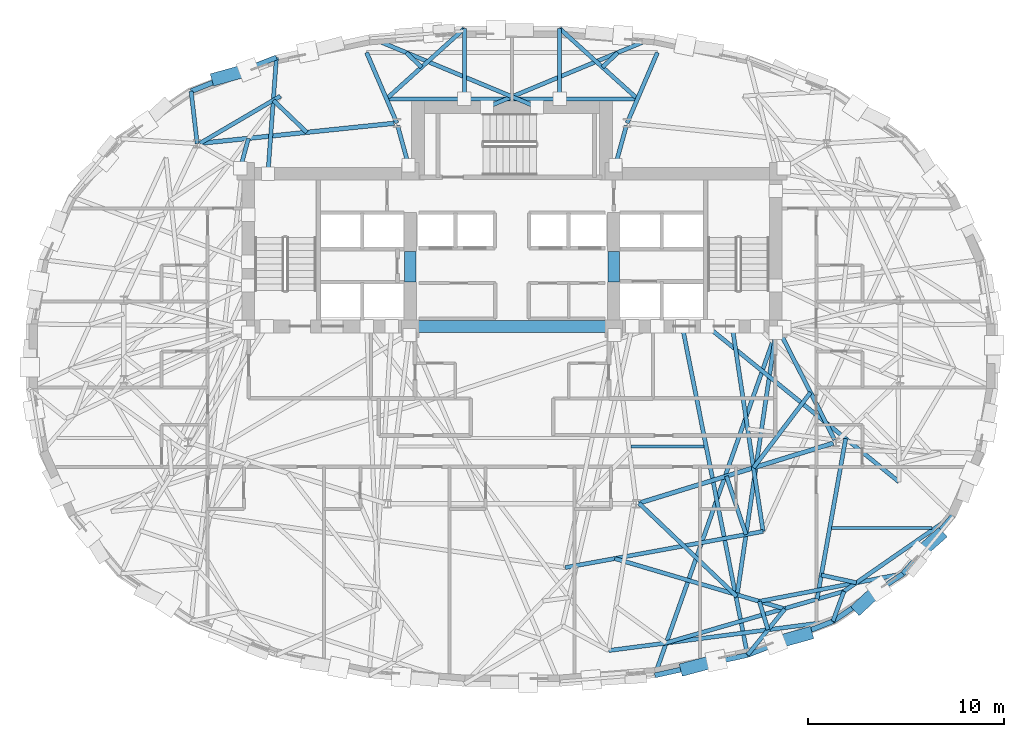
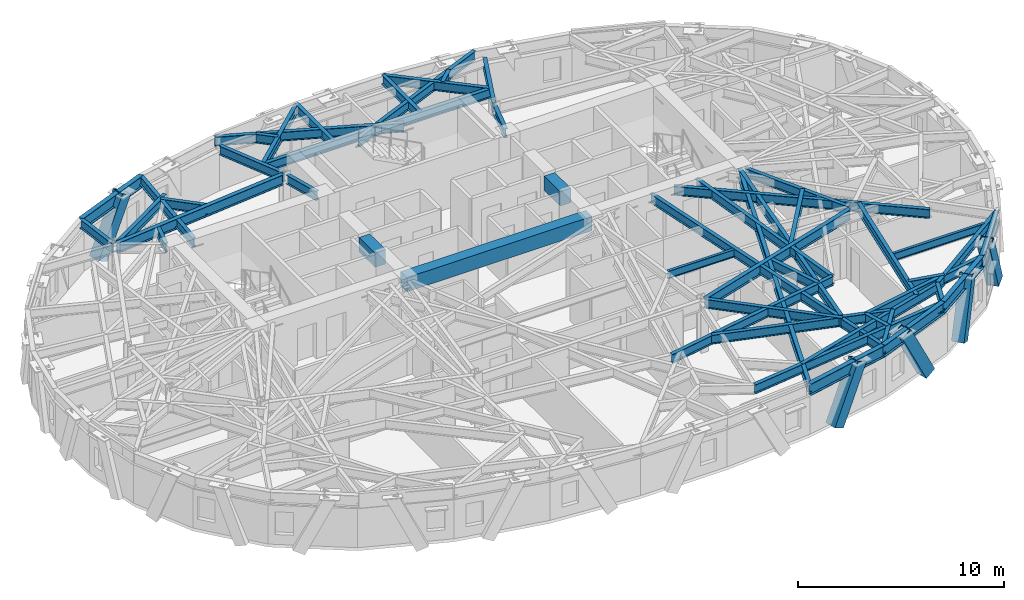
# One storey, part 3 of 15: 50 beams, 5 members.
"""IFC4 building model written with IfcOpenShell, lengths in metres."""

from ifc_helpers import new_model, si_unit, direction, frame, origin, origin_2d, place, context, subcontext, project, spatial, rectangle, hollow_rectangle, i_section, extrude, material, material_profile, profile_set, type_object, element, save


model = new_model("IFC4")

# Units and contexts
model_context = context("Model", 3, precision=1e-05, world=origin(), true_north=direction((0.0, 1.0)))
body_context = subcontext(model_context, "Body", "Model", "MODEL_VIEW")
ifc_project = project(units=[si_unit("LENGTHUNIT", "METRE"), si_unit("AREAUNIT", "SQUARE_METRE"), si_unit("VOLUMEUNIT", "CUBIC_METRE"), si_unit("PLANEANGLEUNIT", "RADIAN"), si_unit("MASSUNIT", "GRAM", prefix="KILO")], contexts=[model_context])

# Site, building, storey
site_placement = place(None, origin())
site = spatial("IfcSite", under=ifc_project, at=site_placement, CompositionType="ELEMENT")
building_placement = place(site_placement, origin())
building = spatial("IfcBuilding", under=site, at=building_placement, Name="Keldmark Tower", CompositionType="ELEMENT")
storey_placement = place(building_placement, frame((0.0, 0.0, 150.199951171875)))
storey = spatial("IfcBuildingStorey", under=building, at=storey_placement, Name="L40", CompositionType="ELEMENT", Elevation=150.199951171875)

# Beams
ifc_material_1 = material(Name="Steel ASTM A992 Grade 50", Category="steel")
ifc_material_profile_1 = material_profile(ifc_material_1, i_section(OverallWidth=0.153076171875, OverallDepth=0.455078125, WebThickness=0.008056640625, FlangeThickness=0.01318359375, at=origin_2d()), Name="W18X40")
ifc_profile_set_1 = profile_set([ifc_material_profile_1], Name="Steel ASTM A992 Grade 50")
beam_type_1 = type_object("IfcBeamType", Name="Composite Floor Joist W18X40", PredefinedType="JOIST", material=ifc_profile_set_1)
beam_1_placement = place(storey_placement, frame((16.328369140625, -8.780029296875, 2.79248046875), z_axis=(1.0, 0.0, 0.0), x_axis=(0.0, 1.0, 0.0)))
element("IfcBeam", 1, at=beam_1_placement, inside=storey, type_object=beam_type_1, Name="L40 Composite Floor Joist J01", PredefinedType="JOIST", context=body_context, shape_type="SweptSolid", body=[
    extrude(i_section(OverallWidth=0.153076171875, OverallDepth=0.455078125, WebThickness=0.008056640625, FlangeThickness=0.01318359375, at=origin_2d()), origin(), (0.0, 0.0, 1.0), 5.115478515625),
])
beam_2_placement = place(storey_placement, frame((6.06884765625, -4.60009765625, 2.79248046875), z_axis=(1.0, 0.0, 0.0), x_axis=(0.0, 1.0, 0.0)))
element("IfcBeam", 2, at=beam_2_placement, inside=storey, type_object=beam_type_1, Name="L40 Composite Floor Joist J05", PredefinedType="JOIST", context=body_context, shape_type="SweptSolid", body=[
    extrude(i_section(OverallWidth=0.153076171875, OverallDepth=0.455078125, WebThickness=0.008056640625, FlangeThickness=0.01318359375, at=origin_2d()), origin(), (0.0, 0.0, 1.0), 3.749755859375),
])
ifc_material_2 = material(Name="Concrete C50/60", Category="concrete")
ifc_material_profile_2 = material_profile(ifc_material_2, rectangle(XDim=0.60009765625, YDim=0.85009765625, at=origin_2d()), Name="RCB600X850")
ifc_profile_set_2 = profile_set([ifc_material_profile_2], Name="Concrete C50/60")
beam_type_2 = type_object("IfcBeamType", Name="Core Coupling Beam RCB600X850", PredefinedType="USERDEFINED", material=ifc_profile_set_2)
for number, where, z_axis, x_axis, name in (
    (3, (-5.199951171875, 3.800048828125, 2.594970703125), (0.0, 1.0, 0.0), (-1.0, 0.0, 0.0), "L40 West Core Coupling Beam"),
    (4, (5.199951171875, 3.800048828125, 2.594970703125), (0.0, 1.0, 0.0), (-1.0, 0.0, 0.0), "L40 East Core Coupling Beam"),
):
    element("IfcBeam", number, at=place(storey_placement, frame(where, z_axis=z_axis, x_axis=x_axis)), inside=storey, type_object=beam_type_2, Name=name, ObjectType="COUPLING BEAM", PredefinedType="USERDEFINED", context=body_context, shape_type="SweptSolid", body=[
        extrude(rectangle(XDim=0.60009765625, YDim=0.85009765625, at=origin_2d()), origin(), (0.0, 0.0, 1.0), 1.550048828125),
    ])
beam_3_placement = place(storey_placement, frame((-5.199951171875, 1.52490234375, 2.594970703125), z_axis=(1.0, 0.0, 0.0), x_axis=(0.0, 1.0, 0.0)))
element("IfcBeam", 5, at=beam_3_placement, inside=storey, type_object=beam_type_2, Name="L40 Central South Core Coupling Beam", ObjectType="COUPLING BEAM", PredefinedType="USERDEFINED", context=body_context, shape_type="SweptSolid", body=[
    extrude(rectangle(XDim=0.60009765625, YDim=0.85009765625, at=origin_2d()), origin(), (0.0, 0.0, 1.0), 10.39990234375),
])

# Members
ifc_material_3 = material(Name="Steel ASTM A572 Grade 50", Category="steel")
ifc_material_profile_3 = material_profile(ifc_material_3, hollow_rectangle(XDim=0.64990234375, YDim=0.64990234375, WallThickness=0.0400390625, at=origin_2d()), Name="BOX650X650X40")
ifc_profile_set_3 = profile_set([ifc_material_profile_3], Name="Steel ASTM A572 Grade 50")
member_type = type_object("IfcMemberType", Name="Diagrid Zone 3 Brace BOX650X650X40", PredefinedType="BRACE", material=ifc_profile_set_3)
member_1_placement = place(storey_placement, frame((-15.05419921875, 14.190673828125, -0.260009765625), z_axis=(0.447184947245, 0.124404320442, 0.885747812875), x_axis=(-0.268016416173, 0.963414345265, 0.0)))
element("IfcMember", 6, at=member_1_placement, inside=storey, type_object=member_type, Name="L40 Perimeter Diagrid Brace 06A", PredefinedType="BRACE", context=body_context, shape_type="SweptSolid", body=[
    extrude(hollow_rectangle(XDim=0.64990234375, YDim=0.64990234375, WallThickness=0.0400390625, at=origin_2d()), origin(), (0.0, 0.0, 1.0), 3.56787109375),
])
member_2_placement = place(storey_placement, frame((8.8984375, -15.96142578125, -0.260009765625), z_axis=(0.434777676357, 0.116179880512, 0.893012098186), x_axis=(-0.258158777298, 0.96610250269, 0.0)))
element("IfcMember", 7, at=member_2_placement, inside=storey, type_object=member_type, Name="L40 Perimeter Diagrid Brace 13B", PredefinedType="BRACE", context=body_context, shape_type="SweptSolid", body=[
    extrude(hollow_rectangle(XDim=0.64990234375, YDim=0.64990234375, WallThickness=0.0400390625, at=origin_2d()), origin(), (0.0, 0.0, 1.0), 3.538818359375),
])
member_3_placement = place(storey_placement, frame((15.05419921875, -14.190673828125, -0.260009765625), z_axis=(-0.447184947245, -0.124404320442, 0.885747812875), x_axis=(0.268016416173, -0.963414345265, 0.0)))
element("IfcMember", 8, at=member_3_placement, inside=storey, type_object=member_type, Name="L40 Perimeter Diagrid Brace 14A", PredefinedType="BRACE", context=body_context, shape_type="SweptSolid", body=[
    extrude(hollow_rectangle(XDim=0.64990234375, YDim=0.64990234375, WallThickness=0.0400390625, at=origin_2d()), origin(), (0.0, 0.0, 1.0), 3.56787109375),
])
member_4_placement = place(storey_placement, frame((17.732421875, -12.81689453125, -0.260009765625), z_axis=(0.292992043497, 0.273100580771, 0.916281471618), x_axis=(-0.681839537201, 0.731501774099, 0.0)))
element("IfcMember", 9, at=member_4_placement, inside=storey, type_object=member_type, Name="L40 Perimeter Diagrid Brace 14B", PredefinedType="BRACE", context=body_context, shape_type="SweptSolid", body=[
    extrude(hollow_rectangle(XDim=0.64990234375, YDim=0.64990234375, WallThickness=0.0400390625, at=origin_2d()), origin(), (0.0, 0.0, 1.0), 3.448974609375),
])
member_5_placement = place(storey_placement, frame((21.796875, -9.180908203125, -0.260009765625), z_axis=(-0.296806190353, -0.263764698546, 0.917787703758), x_axis=(0.664275165612, -0.747488129906, 0.0)))
element("IfcMember", 10, at=member_5_placement, inside=storey, type_object=member_type, Name="L40 Perimeter Diagrid Brace 15A", PredefinedType="BRACE", context=body_context, shape_type="SweptSolid", body=[
    extrude(hollow_rectangle(XDim=0.64990234375, YDim=0.64990234375, WallThickness=0.0400390625, at=origin_2d()), origin(), (0.0, 0.0, 1.0), 3.443115234375),
])

# Beams
ifc_material_4 = material(Name="Steel ASTM A992 Grade 50", Category="steel")
ifc_material_profile_4 = material_profile(ifc_material_4, i_section(OverallWidth=0.22900390625, OverallDepth=0.612060546875, WebThickness=0.011962890625, FlangeThickness=0.01953125, at=origin_2d()), Name="W24X84")
ifc_profile_set_4 = profile_set([ifc_material_profile_4], Name="Steel ASTM A992 Grade 50")
beam_type_3 = type_object("IfcBeamType", Name="Primary Floor Girder W24X84", PredefinedType="BEAM", material=ifc_profile_set_4)
beam_4_placement = place(storey_placement, frame((-6.01953125, 11.90087890625, 2.714111328125), z_axis=(-0.994702930931, -0.102791435423, 0.0), x_axis=(0.102791435423, -0.994702930931, 0.0)))
element("IfcBeam", 11, at=beam_4_placement, inside=storey, type_object=beam_type_3, Name="L40 Floor Ring Girder FG-R04", PredefinedType="BEAM", context=body_context, shape_type="SweptSolid", body=[
    extrude(i_section(OverallWidth=0.22900390625, OverallDepth=0.612060546875, WebThickness=0.011962890625, FlangeThickness=0.01953125, at=origin_2d()), origin(), (0.0, 0.0, 1.0), 9.975341796875),
])
beam_5_placement = place(storey_placement, frame((6.485107421875, -7.5048828125, 2.714111328125), z_axis=(0.955494563145, 0.295008711398, 0.0), x_axis=(-0.295008711398, 0.955494563145, 0.0)))
element("IfcBeam", 12, at=beam_5_placement, inside=storey, type_object=beam_type_3, Name="L40 Floor Ring Girder FG-R10", PredefinedType="BEAM", context=body_context, shape_type="SweptSolid", body=[
    extrude(i_section(OverallWidth=0.22900390625, OverallDepth=0.612060546875, WebThickness=0.011962890625, FlangeThickness=0.01953125, at=origin_2d()), origin(), (0.0, 0.0, 1.0), 10.39013671875),
])
ifc_material_5 = material(Name="Steel ASTM A992 Grade 50", Category="steel")
ifc_material_profile_5 = material_profile(ifc_material_5, i_section(OverallWidth=0.2099609375, OverallDepth=0.537109375, WebThickness=0.010986328125, FlangeThickness=0.017333984375, at=origin_2d()), Name="W21X68")
ifc_profile_set_5 = profile_set([ifc_material_profile_5], Name="Steel ASTM A992 Grade 50")
beam_type_4 = type_object("IfcBeamType", Name="Radial Tie Girder W21X68", PredefinedType="BEAM", material=ifc_profile_set_5)
for number, where, z_axis, x_axis, name in (
    (13, (5.843017578125, 11.7802734375, 2.75146484375), (-0.265992411, -0.963975122755, 0.0), (0.963975122755, -0.265992411, 0.0), "L40 Floor Radial Girder FG-C03"),
    (14, (-5.843017578125, 11.7802734375, 2.75146484375), (0.265992411, -0.963975122755, 0.0), (0.963975122755, 0.265992411, 0.0), "L40 Floor Radial Girder FG-C04"),
):
    element("IfcBeam", number, at=place(storey_placement, frame(where, z_axis=z_axis, x_axis=x_axis)), inside=storey, type_object=beam_type_4, Name=name, PredefinedType="BEAM", context=body_context, shape_type="SweptSolid", body=[
        extrude(i_section(OverallWidth=0.2099609375, OverallDepth=0.537109375, WebThickness=0.010986328125, FlangeThickness=0.017333984375, at=origin_2d()), origin(), (0.0, 0.0, 1.0), 2.09716796875),
    ])
beam_6_placement = place(storey_placement, frame((16.4833984375, -4.273681640625, 2.75146484375), z_axis=(-0.453036691775, 0.891491870914, 0.0), x_axis=(-0.891491870914, -0.453036691775, 0.0)))
element("IfcBeam", 15, at=beam_6_placement, inside=storey, type_object=beam_type_4, Name="L40 Floor Radial Girder FG-C11", PredefinedType="BEAM", context=body_context, shape_type="SweptSolid", body=[
    extrude(i_section(OverallWidth=0.2099609375, OverallDepth=0.537109375, WebThickness=0.010986328125, FlangeThickness=0.017333984375, at=origin_2d()), origin(), (0.0, 0.0, 1.0), 6.044189453125),
])
beam_7_placement = place(storey_placement, frame((15.251220703125, -1.848876953125, 2.75146484375), z_axis=(-0.603642514863, -0.797255112401, 0.0), x_axis=(0.797255112401, -0.603642514863, 0.0)))
element("IfcBeam", 16, at=beam_7_placement, inside=storey, type_object=beam_type_4, Name="L40 Framing Pin Header PH-008", PredefinedType="BEAM", context=body_context, shape_type="SweptSolid", body=[
    extrude(i_section(OverallWidth=0.2099609375, OverallDepth=0.537109375, WebThickness=0.010986328125, FlangeThickness=0.017333984375, at=origin_2d()), origin(), (0.0, 0.0, 1.0), 4.828369140625),
])
beam_8_placement = place(storey_placement, frame((11.25, 1.52490234375, 2.75146484375), z_axis=(0.148746223089, -0.98887540222, 0.0), x_axis=(0.98887540222, 0.148746223089, 0.0)))
element("IfcBeam", 17, at=beam_8_placement, inside=storey, type_object=beam_type_4, Name="L40 Sub-Ring Step Girder STP2-M11", PredefinedType="BEAM", context=body_context, shape_type="SweptSolid", body=[
    extrude(i_section(OverallWidth=0.2099609375, OverallDepth=0.537109375, WebThickness=0.010986328125, FlangeThickness=0.017333984375, at=origin_2d()), origin(), (0.0, 0.0, 1.0), 10.591552734375),
])
beam_9_placement = place(storey_placement, frame((2.719970703125, -10.796142578125, 2.75146484375), z_axis=(0.983697202396, 0.179832738948, 0.0), x_axis=(-0.179832738948, 0.983697202396, 0.0)))
element("IfcBeam", 18, at=beam_9_placement, inside=storey, type_object=beam_type_4, Name="L40 Perimeter Collector Ring Beam CRG2-M10", PredefinedType="BEAM", context=body_context, shape_type="SweptSolid", body=[
    extrude(i_section(OverallWidth=0.2099609375, OverallDepth=0.537109375, WebThickness=0.010986328125, FlangeThickness=0.017333984375, at=origin_2d()), origin(), (0.0, 0.0, 1.0), 10.27294921875),
])
beam_10_placement = place(storey_placement, frame((-13.878173828125, 9.608154296875, 2.75146484375), z_axis=(0.262030897105, 0.965059484676, 0.0), x_axis=(-0.965059484676, 0.262030897105, 0.0)))
element("IfcBeam", 19, at=beam_10_placement, inside=storey, type_object=beam_type_4, Name="L40 Framing Pin Header PH-014", PredefinedType="BEAM", context=body_context, shape_type="SweptSolid", body=[
    extrude(i_section(OverallWidth=0.2099609375, OverallDepth=0.537109375, WebThickness=0.010986328125, FlangeThickness=0.017333984375, at=origin_2d()), origin(), (0.0, 0.0, 1.0), 1.578369140625),
])
beam_11_placement = place(storey_placement, frame((-15.942138671875, 10.87548828125, 2.75146484375), z_axis=(0.862190742462, 0.506583777487, 0.0), x_axis=(-0.506583777487, 0.862190742462, 0.0)))
element("IfcBeam", 20, at=beam_11_placement, inside=storey, type_object=beam_type_4, Name="L40 Local Collector Chord RT-11C", PredefinedType="BEAM", context=body_context, shape_type="SweptSolid", body=[
    extrude(i_section(OverallWidth=0.2099609375, OverallDepth=0.537109375, WebThickness=0.010986328125, FlangeThickness=0.017333984375, at=origin_2d()), origin(), (0.0, 0.0, 1.0), 4.768798828125),
])
beam_12_placement = place(storey_placement, frame((-10.484619140625, 11.439453125, 2.75146484375), z_axis=(-0.721850819922, 0.692048693213, 0.0), x_axis=(-0.692048693213, -0.721850819922, 0.0)))
element("IfcBeam", 21, at=beam_12_placement, inside=storey, type_object=beam_type_4, Name="L40 Framing Pin Header PH-015", PredefinedType="BEAM", context=body_context, shape_type="SweptSolid", body=[
    extrude(i_section(OverallWidth=0.2099609375, OverallDepth=0.537109375, WebThickness=0.010986328125, FlangeThickness=0.017333984375, at=origin_2d()), origin(), (0.0, 0.0, 1.0), 2.367431640625),
])
beam_13_placement = place(storey_placement, frame((-12.468017578125, 9.324951171875, 2.75146484375), z_axis=(0.072891051197, 0.997339909286, 0.0), x_axis=(-0.997339909286, 0.072891051197, 0.0)))
element("IfcBeam", 22, at=beam_13_placement, inside=storey, type_object=beam_type_4, Name="L40 Perimeter Radial Tie Girder RT-11", PredefinedType="BEAM", context=body_context, shape_type="SweptSolid", body=[
    extrude(i_section(OverallWidth=0.2099609375, OverallDepth=0.537109375, WebThickness=0.010986328125, FlangeThickness=0.017333984375, at=origin_2d()), origin(), (0.0, 0.0, 1.0), 5.951904296875),
])
beam_14_placement = place(storey_placement, frame((-16.08154296875, 10.861083984375, 2.75146484375), z_axis=(-0.115507089464, 0.993306655713, 0.0), x_axis=(-0.993306655713, -0.115507089464, 0.0)))
element("IfcBeam", 23, at=beam_14_placement, inside=storey, type_object=beam_type_4, Name="L40 Perimeter Column Bracket RT-12", PredefinedType="BEAM", context=body_context, shape_type="SweptSolid", body=[
    extrude(i_section(OverallWidth=0.2099609375, OverallDepth=0.537109375, WebThickness=0.010986328125, FlangeThickness=0.017333984375, at=origin_2d()), origin(), (0.0, 0.0, 1.0), 2.697021484375),
])
beam_15_placement = place(storey_placement, frame((10.95263671875, -6.12548828125, 2.75146484375), z_axis=(0.318833730125, -0.947810662809, 0.0), x_axis=(0.947810662809, 0.318833730125, 0.0)))
element("IfcBeam", 24, at=beam_15_placement, inside=storey, type_object=beam_type_4, Name="L40 Framing Pin Header PH-032", PredefinedType="BEAM", context=body_context, shape_type="SweptSolid", body=[
    extrude(i_section(OverallWidth=0.2099609375, OverallDepth=0.537109375, WebThickness=0.010986328125, FlangeThickness=0.017333984375, at=origin_2d()), origin(), (0.0, 0.0, 1.0), 3.146484375),
])
beam_16_placement = place(storey_placement, frame((13.47509765625, 1.199951171875, 2.75146484375), z_axis=(-0.145828316979, -0.989309911993, 0.0), x_axis=(0.989309911993, -0.145828316979, 0.0)))
element("IfcBeam", 25, at=beam_16_placement, inside=storey, type_object=beam_type_4, Name="L40 Intermediate Radial Step Girder RT-27M", PredefinedType="BEAM", context=body_context, shape_type="SweptSolid", body=[
    extrude(i_section(OverallWidth=0.2099609375, OverallDepth=0.537109375, WebThickness=0.010986328125, FlangeThickness=0.017333984375, at=origin_2d()), origin(), (0.0, 0.0, 1.0), 13.62255859375),
])
beam_17_placement = place(storey_placement, frame((6.485107421875, -7.5048828125, 2.75146484375), z_axis=(0.723628037129, -0.690190165013, 0.0), x_axis=(0.690190165013, 0.723628037129, 0.0)))
element("IfcBeam", 26, at=beam_17_placement, inside=storey, type_object=beam_type_4, Name="L40 Local Collector Chord RT-27C", PredefinedType="BEAM", context=body_context, shape_type="SweptSolid", body=[
    extrude(i_section(OverallWidth=0.2099609375, OverallDepth=0.537109375, WebThickness=0.010986328125, FlangeThickness=0.017333984375, at=origin_2d()), origin(), (0.0, 0.0, 1.0), 6.914306640625),
])
beam_18_placement = place(storey_placement, frame((8.699951171875, 1.52490234375, 2.75146484375), z_axis=(0.194826566435, -0.980837707784, 0.0), x_axis=(0.980837707784, 0.194826566435, 0.0)))
element("IfcBeam", 27, at=beam_18_placement, inside=storey, type_object=beam_type_4, Name="L40 Perimeter Radial Tie Girder RT-27", PredefinedType="BEAM", context=body_context, shape_type="SweptSolid", body=[
    extrude(i_section(OverallWidth=0.2099609375, OverallDepth=0.537109375, WebThickness=0.010986328125, FlangeThickness=0.017333984375, at=origin_2d()), origin(), (0.0, 0.0, 1.0), 17.11376953125),
])
beam_19_placement = place(storey_placement, frame((5.246337890625, -10.334228515625, 2.75146484375), z_axis=(0.958856762213, -0.283890312548, 0.0), x_axis=(0.283890312548, 0.958856762213, 0.0)))
element("IfcBeam", 28, at=beam_19_placement, inside=storey, type_object=beam_type_4, Name="L40 Intermediate Radial Step Girder RT-28M", PredefinedType="BEAM", context=body_context, shape_type="SweptSolid", body=[
    extrude(i_section(OverallWidth=0.2099609375, OverallDepth=0.537109375, WebThickness=0.010986328125, FlangeThickness=0.017333984375, at=origin_2d()), origin(), (0.0, 0.0, 1.0), 9.067626953125),
])
beam_20_placement = place(storey_placement, frame((12.0341796875, -15.260986328125, 2.75146484375), z_axis=(0.629657332572, 0.77687299061, 0.0), x_axis=(-0.77687299061, 0.629657332572, 0.0)))
element("IfcBeam", 29, at=beam_20_placement, inside=storey, type_object=beam_type_4, Name="L40 Local Collector Chord RT-28C", PredefinedType="BEAM", context=body_context, shape_type="SweptSolid", body=[
    extrude(i_section(OverallWidth=0.2099609375, OverallDepth=0.537109375, WebThickness=0.010986328125, FlangeThickness=0.017333984375, at=origin_2d()), origin(), (0.0, 0.0, 1.0), 3.0283203125),
])
beam_21_placement = place(storey_placement, frame((12.63671875, -12.5224609375, 2.75146484375), z_axis=(0.291526915805, -0.956562625948, 0.0), x_axis=(0.956562625948, 0.291526915805, 0.0)))
element("IfcBeam", 30, at=beam_21_placement, inside=storey, type_object=beam_type_4, Name="L40 Framing Pin Header PH-033", PredefinedType="BEAM", context=body_context, shape_type="SweptSolid", body=[
    extrude(i_section(OverallWidth=0.2099609375, OverallDepth=0.537109375, WebThickness=0.010986328125, FlangeThickness=0.017333984375, at=origin_2d()), origin(), (0.0, 0.0, 1.0), 1.515869140625),
])
beam_22_placement = place(storey_placement, frame((4.935546875, -15.034912109375, 2.75146484375), z_axis=(0.991595815537, 0.129374412498, 0.0), x_axis=(-0.129374412498, 0.991595815537, 0.0)))
element("IfcBeam", 31, at=beam_22_placement, inside=storey, type_object=beam_type_4, Name="L40 Perimeter Radial Tie Girder RT-28", PredefinedType="BEAM", context=body_context, shape_type="SweptSolid", body=[
    extrude(i_section(OverallWidth=0.2099609375, OverallDepth=0.537109375, WebThickness=0.010986328125, FlangeThickness=0.017333984375, at=origin_2d()), origin(), (0.0, 0.0, 1.0), 11.5546875),
])
beam_23_placement = place(storey_placement, frame((7.800048828125, -14.6611328125, 2.75146484375), z_axis=(0.96056732418, 0.278047506223, 0.0), x_axis=(-0.278047506223, 0.96056732418, 0.0)))
element("IfcBeam", 32, at=beam_23_placement, inside=storey, type_object=beam_type_4, Name="L40 Intermediate Radial Step Girder RT-29M", PredefinedType="BEAM", context=body_context, shape_type="SweptSolid", body=[
    extrude(i_section(OverallWidth=0.2099609375, OverallDepth=0.537109375, WebThickness=0.010986328125, FlangeThickness=0.017333984375, at=origin_2d()), origin(), (0.0, 0.0, 1.0), 9.533935546875),
])
beam_24_placement = place(storey_placement, frame((16.39306640625, -13.5400390625, 2.75146484375), z_axis=(0.346426781301, 0.938077014534, 0.0), x_axis=(-0.938077014534, 0.346426781301, 0.0)))
element("IfcBeam", 33, at=beam_24_placement, inside=storey, type_object=beam_type_4, Name="L40 Local Collector Chord RT-29C", PredefinedType="BEAM", context=body_context, shape_type="SweptSolid", body=[
    extrude(i_section(OverallWidth=0.2099609375, OverallDepth=0.537109375, WebThickness=0.010986328125, FlangeThickness=0.017333984375, at=origin_2d()), origin(), (0.0, 0.0, 1.0), 1.630859375),
])
beam_25_placement = place(storey_placement, frame((15.584228515625, -12.40771484375, 2.75146484375), z_axis=(0.175453826921, 0.984487660978, 0.0), x_axis=(-0.984487660978, 0.175453826921, 0.0)))
element("IfcBeam", 34, at=beam_25_placement, inside=storey, type_object=beam_type_4, Name="L40 Framing Pin Header PH-034", PredefinedType="BEAM", context=body_context, shape_type="SweptSolid", body=[
    extrude(i_section(OverallWidth=0.2099609375, OverallDepth=0.537109375, WebThickness=0.010986328125, FlangeThickness=0.017333984375, at=origin_2d()), origin(), (0.0, 0.0, 1.0), 8.329345703125),
])
beam_26_placement = place(storey_placement, frame((9.97509765625, 1.52490234375, 2.75146484375), z_axis=(0.776773414251, -0.629780170307, 0.0), x_axis=(0.629780170307, 0.776773414251, 0.0)))
element("IfcBeam", 35, at=beam_26_placement, inside=storey, type_object=beam_type_4, Name="L40 Intermediate Radial Step Girder RT-30M", PredefinedType="BEAM", context=body_context, shape_type="SweptSolid", body=[
    extrude(i_section(OverallWidth=0.2099609375, OverallDepth=0.537109375, WebThickness=0.010986328125, FlangeThickness=0.017333984375, at=origin_2d()), origin(), (0.0, 0.0, 1.0), 12.60791015625),
])
for number, where, z_axis, x_axis, name in (
    (36, (-5.880126953125, 11.915283203125, 2.75146484375), (-0.395414566393, 0.918502760303, 0.0), (-0.918502760303, -0.395414566393, 0.0), "L40 North Column Cantilever Girder West FG-TCN-W"),
    (37, (5.880126953125, 11.915283203125, 2.75146484375), (0.395414566393, 0.918502760303, 0.0), (-0.918502760303, 0.395414566393, 0.0), "L40 North Column Cantilever Girder East FG-TCN-E"),
):
    element("IfcBeam", number, at=place(storey_placement, frame(where, z_axis=z_axis, x_axis=x_axis)), inside=storey, type_object=beam_type_4, Name=name, PredefinedType="BEAM", context=body_context, shape_type="SweptSolid", body=[
        extrude(i_section(OverallWidth=0.2099609375, OverallDepth=0.537109375, WebThickness=0.010986328125, FlangeThickness=0.017333984375, at=origin_2d()), origin(), (0.0, 0.0, 1.0), 3.920166015625),
    ])
beam_27_placement = place(storey_placement, frame((-6.41162109375, 13.14990234375, 2.75146484375), z_axis=(1.0, 0.0, 0.0), x_axis=(0.0, 1.0, 0.0)))
element("IfcBeam", 38, at=beam_27_placement, inside=storey, type_object=beam_type_4, Name="L40 North Inner Header Girder FG-TCN-H0", PredefinedType="BEAM", context=body_context, shape_type="SweptSolid", body=[
    extrude(i_section(OverallWidth=0.2099609375, OverallDepth=0.537109375, WebThickness=0.010986328125, FlangeThickness=0.017333984375, at=origin_2d()), origin(), (0.0, 0.0, 1.0), 12.8232421875),
])
for number, where, z_axis, x_axis, name in (
    (39, (2.4326171875, 13.14990234375, 2.75146484375), (0.0, 1.0, 0.0), (-1.0, 0.0, 0.0), "L40 North Continuous Radial Girder RT-08N"),
    (40, (-2.4326171875, 13.14990234375, 2.75146484375), (0.0, 1.0, 0.0), (-1.0, 0.0, 0.0), "L40 North Continuous Radial Girder RT-09N"),
):
    element("IfcBeam", number, at=place(storey_placement, frame(where, z_axis=z_axis, x_axis=x_axis)), inside=storey, type_object=beam_type_4, Name=name, PredefinedType="BEAM", context=body_context, shape_type="SweptSolid", body=[
        extrude(i_section(OverallWidth=0.2099609375, OverallDepth=0.537109375, WebThickness=0.010986328125, FlangeThickness=0.017333984375, at=origin_2d()), origin(), (0.0, 0.0, 1.0), 3.592041015625),
    ])
beam_28_placement = place(storey_placement, frame((6.41162109375, 13.14990234375, 2.75146484375), z_axis=(-0.742278738623, 0.670091243181, 0.0), x_axis=(-0.670091243181, -0.742278738623, 0.0)))
element("IfcBeam", 41, at=beam_28_placement, inside=storey, type_object=beam_type_4, Name="L40 Straddling Support Chord RT-07RB", PredefinedType="BEAM", context=body_context, shape_type="SweptSolid", body=[
    extrude(i_section(OverallWidth=0.2099609375, OverallDepth=0.537109375, WebThickness=0.010986328125, FlangeThickness=0.017333984375, at=origin_2d()), origin(), (0.0, 0.0, 1.0), 5.360595703125),
])
beam_29_placement = place(storey_placement, frame((4.62109375, 14.766357421875, 2.75146484375), z_axis=(0.72589380908, 0.687806788233, 0.0), x_axis=(-0.687806788233, 0.72589380908, 0.0)))
element("IfcBeam", 42, at=beam_29_placement, inside=storey, type_object=beam_type_4, Name="L40 Framing Pin Header PH-038", PredefinedType="BEAM", context=body_context, shape_type="SweptSolid", body=[
    extrude(i_section(OverallWidth=0.2099609375, OverallDepth=0.537109375, WebThickness=0.010986328125, FlangeThickness=0.017333984375, at=origin_2d()), origin(), (0.0, 0.0, 1.0), 1.089599609375),
])
beam_30_placement = place(storey_placement, frame((-1.28125, 12.72509765625, 2.75146484375), z_axis=(0.922989834183, 0.384824331344, 0.0), x_axis=(-0.384824331344, 0.922989834183, 0.0)))
element("IfcBeam", 43, at=beam_30_placement, inside=storey, type_object=beam_type_4, Name="L40 Perimeter Radial Tie Girder RT-07R", PredefinedType="BEAM", context=body_context, shape_type="SweptSolid", body=[
    extrude(i_section(OverallWidth=0.2099609375, OverallDepth=0.537109375, WebThickness=0.010986328125, FlangeThickness=0.017333984375, at=origin_2d()), origin(), (0.0, 0.0, 1.0), 9.291748046875),
])
beam_31_placement = place(storey_placement, frame((-2.4326171875, 16.741943359375, 2.75146484375), z_axis=(-0.742278738623, -0.670091243181, 0.0), x_axis=(0.670091243181, -0.742278738623, 0.0)))
element("IfcBeam", 44, at=beam_31_placement, inside=storey, type_object=beam_type_4, Name="L40 Straddling Support Chord RT-10RB", PredefinedType="BEAM", context=body_context, shape_type="SweptSolid", body=[
    extrude(i_section(OverallWidth=0.2099609375, OverallDepth=0.537109375, WebThickness=0.010986328125, FlangeThickness=0.017333984375, at=origin_2d()), origin(), (0.0, 0.0, 1.0), 5.360595703125),
])
beam_32_placement = place(storey_placement, frame((-4.62109375, 14.766357421875, 2.75146484375), z_axis=(-0.72589380908, 0.687806788233, 0.0), x_axis=(-0.687806788233, -0.72589380908, 0.0)))
element("IfcBeam", 45, at=beam_32_placement, inside=storey, type_object=beam_type_4, Name="L40 Framing Pin Header PH-039", PredefinedType="BEAM", context=body_context, shape_type="SweptSolid", body=[
    extrude(i_section(OverallWidth=0.2099609375, OverallDepth=0.537109375, WebThickness=0.010986328125, FlangeThickness=0.017333984375, at=origin_2d()), origin(), (0.0, 0.0, 1.0), 1.089599609375),
])
beam_33_placement = place(storey_placement, frame((1.28125, 12.72509765625, 2.75146484375), z_axis=(-0.922989834183, 0.384824331344, 0.0), x_axis=(-0.384824331344, -0.922989834183, 0.0)))
element("IfcBeam", 46, at=beam_33_placement, inside=storey, type_object=beam_type_4, Name="L40 Perimeter Radial Tie Girder RT-10R", PredefinedType="BEAM", context=body_context, shape_type="SweptSolid", body=[
    extrude(i_section(OverallWidth=0.2099609375, OverallDepth=0.537109375, WebThickness=0.010986328125, FlangeThickness=0.017333984375, at=origin_2d()), origin(), (0.0, 0.0, 1.0), 9.291748046875),
])
beam_34_placement = place(storey_placement, frame((13.47509765625, 1.199951171875, 2.75146484375), z_axis=(-0.33298524835, -0.942932035929, 0.0), x_axis=(0.942932035929, -0.33298524835, 0.0)))
element("IfcBeam", 47, at=beam_34_placement, inside=storey, type_object=beam_type_4, Name="L40 Perimeter Radial Tie Girder RT-26R", PredefinedType="BEAM", context=body_context, shape_type="SweptSolid", body=[
    extrude(i_section(OverallWidth=0.2099609375, OverallDepth=0.537109375, WebThickness=0.010986328125, FlangeThickness=0.017333984375, at=origin_2d()), origin(), (0.0, 0.0, 1.0), 18.559814453125),
])
beam_35_placement = place(storey_placement, frame((16.9580078125, -12.01025390625, 2.75146484375), z_axis=(0.82174477706, 0.569855702239, 0.0), x_axis=(-0.569855702239, 0.82174477706, 0.0)))
element("IfcBeam", 48, at=beam_35_placement, inside=storey, type_object=beam_type_4, Name="L40 Straddling Support Chord RT-29RB", PredefinedType="BEAM", context=body_context, shape_type="SweptSolid", body=[
    extrude(i_section(OverallWidth=0.2099609375, OverallDepth=0.537109375, WebThickness=0.010986328125, FlangeThickness=0.017333984375, at=origin_2d()), origin(), (0.0, 0.0, 1.0), 6.761474609375),
])
beam_36_placement = place(storey_placement, frame((15.803466796875, -11.177734375, 2.75146484375), z_axis=(0.976828673368, -0.214022762541, 0.0), x_axis=(0.214022762541, 0.976828673368, 0.0)))
element("IfcBeam", 49, at=beam_36_placement, inside=storey, type_object=beam_type_4, Name="L40 Framing Pin Header PH-041", PredefinedType="BEAM", context=body_context, shape_type="SweptSolid", body=[
    extrude(i_section(OverallWidth=0.2099609375, OverallDepth=0.537109375, WebThickness=0.010986328125, FlangeThickness=0.017333984375, at=origin_2d()), origin(), (0.0, 0.0, 1.0), 1.83203125),
])
beam_37_placement = place(storey_placement, frame((12.63671875, -12.5224609375, 2.75146484375), z_axis=(0.982026947995, 0.188740757155, 0.0), x_axis=(-0.188740757155, 0.982026947995, 0.0)))
element("IfcBeam", 50, at=beam_37_placement, inside=storey, type_object=beam_type_4, Name="L40 Perimeter Radial Tie Girder RT-29R", PredefinedType="BEAM", context=body_context, shape_type="SweptSolid", body=[
    extrude(i_section(OverallWidth=0.2099609375, OverallDepth=0.537109375, WebThickness=0.010986328125, FlangeThickness=0.017333984375, at=origin_2d()), origin(), (0.0, 0.0, 1.0), 7.47265625),
])
ifc_material_6 = material(Name="Steel ASTM A992 Grade 50", Category="steel")
ifc_material_profile_6 = material_profile(ifc_material_6, i_section(OverallWidth=0.256103515625, OverallDepth=0.693115234375, WebThickness=0.014404296875, FlangeThickness=0.023681640625, at=origin_2d()), Name="W27X114")
ifc_profile_set_6 = profile_set([ifc_material_profile_6], Name="Steel ASTM A992 Grade 50")
beam_type_5 = type_object("IfcBeamType", Name="Spandrel Ring Beam W27X114", PredefinedType="SPANDREL", material=ifc_profile_set_6)
beam_38_placement = place(storey_placement, frame((-12.0341796875, 15.260986328125, 2.673583984375), z_axis=(-0.930130872211, -0.367228213186, 0.0), x_axis=(0.367228213186, -0.930130872211, 0.0)))
element("IfcBeam", 51, at=beam_38_placement, inside=storey, type_object=beam_type_5, Name="L40 Perimeter Spandrel Ring Beam SRB-11", PredefinedType="SPANDREL", context=body_context, shape_type="SweptSolid", body=[
    extrude(i_section(OverallWidth=0.256103515625, OverallDepth=0.693115234375, WebThickness=0.014404296875, FlangeThickness=0.023681640625, at=origin_2d()), origin(), (0.0, 0.0, 1.0), 4.686279296875),
])
beam_39_placement = place(storey_placement, frame((7.294921875, -16.30078125, 2.673583984375), z_axis=(0.976767211892, 0.214303088576, 0.0), x_axis=(-0.214303088576, 0.976767211892, 0.0)))
element("IfcBeam", 52, at=beam_39_placement, inside=storey, type_object=beam_type_5, Name="L40 Perimeter Spandrel Ring Beam SRB-26", PredefinedType="SPANDREL", context=body_context, shape_type="SweptSolid", body=[
    extrude(i_section(OverallWidth=0.256103515625, OverallDepth=0.693115234375, WebThickness=0.014404296875, FlangeThickness=0.023681640625, at=origin_2d()), origin(), (0.0, 0.0, 1.0), 4.85205078125),
])
beam_40_placement = place(storey_placement, frame((12.0341796875, -15.260986328125, 2.673583984375), z_axis=(0.930130872211, 0.367228213186, 0.0), x_axis=(-0.367228213186, 0.930130872211, 0.0)))
element("IfcBeam", 53, at=beam_40_placement, inside=storey, type_object=beam_type_5, Name="L40 Perimeter Spandrel Ring Beam SRB-27", PredefinedType="SPANDREL", context=body_context, shape_type="SweptSolid", body=[
    extrude(i_section(OverallWidth=0.256103515625, OverallDepth=0.693115234375, WebThickness=0.014404296875, FlangeThickness=0.023681640625, at=origin_2d()), origin(), (0.0, 0.0, 1.0), 4.686279296875),
])
beam_41_placement = place(storey_placement, frame((16.39306640625, -13.5400390625, 2.673583984375), z_axis=(0.827764012693, 0.561076411276, 0.0), x_axis=(-0.561076411276, 0.827764012693, 0.0)))
element("IfcBeam", 54, at=beam_41_placement, inside=storey, type_object=beam_type_5, Name="L40 Perimeter Spandrel Ring Beam SRB-28", PredefinedType="SPANDREL", context=body_context, shape_type="SweptSolid", body=[
    extrude(i_section(OverallWidth=0.256103515625, OverallDepth=0.693115234375, WebThickness=0.014404296875, FlangeThickness=0.023681640625, at=origin_2d()), origin(), (0.0, 0.0, 1.0), 4.327392578125),
])
beam_42_placement = place(storey_placement, frame((19.97509765625, -11.112060546875, 2.673583984375), z_axis=(0.651730133618, 0.758450942998, 0.0), x_axis=(-0.758450942998, 0.651730133618, 0.0)))
element("IfcBeam", 55, at=beam_42_placement, inside=storey, type_object=beam_type_5, Name="L40 Perimeter Spandrel Ring Beam SRB-29", PredefinedType="SPANDREL", context=body_context, shape_type="SweptSolid", body=[
    extrude(i_section(OverallWidth=0.256103515625, OverallDepth=0.693115234375, WebThickness=0.014404296875, FlangeThickness=0.023681640625, at=origin_2d()), origin(), (0.0, 0.0, 1.0), 3.89599609375),
])

save(model, "model.ifc")
